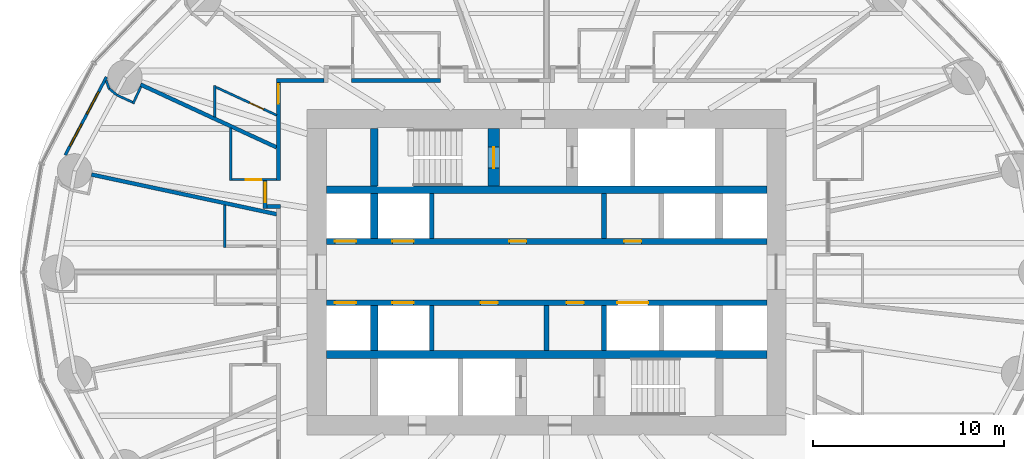
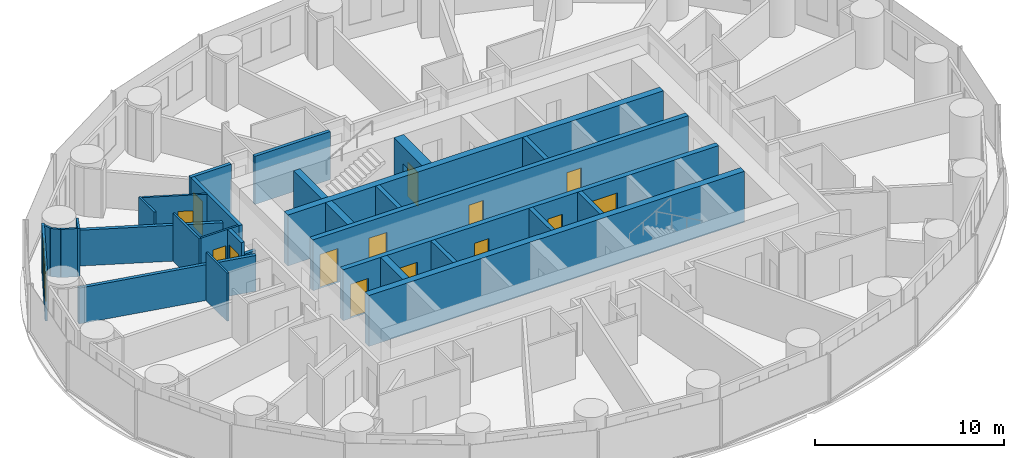
# One storey, part 8 of 14: 30 walls, 14 doors, 2 windows, 16 openings.
"""IFC4 building model written with IfcOpenShell, lengths in metres."""

from ifc_helpers import new_model, si_unit, direction, frame, frame_2d, origin, place, context, subcontext, project, spatial, rectangle, extrude, material, layer, layer_set, type_object, element, fill, save


model = new_model("IFC4")

# Units and contexts
model_context = context("Model", 3, precision=1e-05, world=origin(), true_north=direction((0.0, 1.0)))
body_context = subcontext(model_context, "Body", "Model", "MODEL_VIEW")
ifc_project = project(units=[si_unit("LENGTHUNIT", "METRE"), si_unit("AREAUNIT", "SQUARE_METRE"), si_unit("VOLUMEUNIT", "CUBIC_METRE"), si_unit("PLANEANGLEUNIT", "RADIAN"), si_unit("MASSUNIT", "GRAM", prefix="KILO")], contexts=[model_context])

# Site, building, storey
site_placement = place(None, origin())
site = spatial("IfcSite", under=ifc_project, at=site_placement, CompositionType="ELEMENT")
building_placement = place(site_placement, origin())
building = spatial("IfcBuilding", under=site, at=building_placement, Name="Hankou Lantern Tower", CompositionType="ELEMENT")
storey_placement = place(building_placement, frame((0.0, 0.0, 29.39990234375)))
storey = spatial("IfcBuildingStorey", under=building, at=storey_placement, Name="L05", CompositionType="ELEMENT", Elevation=29.39990234375)

# Walls
ifc_material_1 = material(Name="Concrete C60", Category="concrete")
ifc_layer_1 = layer(ifc_material_1, 0.39990234375)
ifc_layer_set_1 = layer_set([ifc_layer_1], Name="Concrete C60")
wall_type_1 = type_object("IfcWallType", Name="CW4 CORE CROSS WALL 400", PredefinedType="SHEAR", material=ifc_layer_set_1)
for number, where, z_axis, x_axis, name in (
    (1, (-11.5, 4.300048828125, 0.0), (0.0, 0.0, 1.0), (1.0, 0.0, 0.0), "Core band wall north L05"),
    (2, (-11.5, -4.300048828125, 0.0), (0.0, 0.0, 1.0), (1.0, 0.0, 0.0), "Core band wall south L05"),
):
    element("IfcWall", number, at=place(storey_placement, frame(where, z_axis=z_axis, x_axis=x_axis)), inside=storey, type_object=wall_type_1, Name=name, PredefinedType="SHEAR", context=body_context, shape_type="SweptSolid", body=[
        extrude(rectangle(XDim=23.0, YDim=0.39990234375, at=frame_2d((11.5, 0.0))), origin(), (0.0, 0.0, 1.0), 3.300048828125),
    ])
wall_1_placement = place(storey_placement, frame((-9.0, 4.5, 0.0), z_axis=(0.0, 0.0, 1.0), x_axis=(0.0, 1.0, 0.0)))
element("IfcWall", 3, at=wall_1_placement, inside=storey, type_object=wall_type_1, Name="Core strip wall L05", PredefinedType="SHEAR", context=body_context, shape_type="SweptSolid", body=[
    extrude(rectangle(XDim=3.0, YDim=0.39990234375, at=frame_2d((1.5, 0.0))), origin(), (0.0, 0.0, 1.0), 3.300048828125),
])
for number, where, z_axis, x_axis, name in (
    (4, (-9.0, 1.75, 0.0), (0.0, 0.0, 1.0), (0.0, 1.0, 0.0), "Core strip wall L05"),
    (5, (-9.0, -4.10009765625, 0.0), (0.0, 0.0, 1.0), (0.0, 1.0, 0.0), "Core strip wall L05"),
):
    element("IfcWall", number, at=place(storey_placement, frame(where, z_axis=z_axis, x_axis=x_axis)), inside=storey, type_object=wall_type_1, Name=name, PredefinedType="SHEAR", context=body_context, shape_type="SweptSolid", body=[
        extrude(rectangle(XDim=2.35009765625, YDim=0.39990234375, at=frame_2d((1.175048828125, 0.0))), origin(), (0.0, 0.0, 1.0), 3.300048828125),
    ])

# Wall, openings, doors
ifc_material_2 = material(Name="Concrete C60", Category="concrete")
ifc_layer_2 = layer(ifc_material_2, 0.300048828125)
ifc_layer_set_2 = layer_set([ifc_layer_2], Name="Concrete C60")
wall_type_2 = type_object("IfcWallType", Name="CW5 LIFT LOBBY WALL 300", PredefinedType="SHEAR", material=ifc_layer_set_2)
wall_2_placement = place(storey_placement, frame((-11.5, 1.60009765625, 0.0), z_axis=(0.0, 0.0, 1.0), x_axis=(1.0, 0.0, 0.0)))
wall_2 = element("IfcWall", 6, at=wall_2_placement, inside=storey, type_object=wall_type_2, Name="Lift lobby wall north L05", PredefinedType="SHEAR", context=body_context, shape_type="SweptSolid", body=[
    extrude(rectangle(XDim=23.0, YDim=0.300048828125, at=frame_2d((11.5, 0.0))), origin(), (0.0, 0.0, 1.0), 3.300048828125),
])
opening_1_placement = place(wall_2_placement, frame((0.449951171875, 0.0, 0.0)))
opening_1 = element("IfcOpeningElement", 7, at=opening_1_placement, cuts=wall_2, Name="Opening LD1", PredefinedType="OPENING", context=body_context, shape_type="SweptSolid", body=[
    extrude(rectangle(XDim=1.10009765625, YDim=2.199951171875, at=frame_2d((0.550048828125, 1.10009765625))), frame((0.0, 0.159912109375, 0.0), z_axis=(0.0, -1.0, 0.0), x_axis=(1.0, 0.0, 0.0)), (0.0, 0.0, 1.0), 0.320068359375),
])
opening_2_placement = place(wall_2_placement, frame((3.449951171875, 0.0, 0.0)))
opening_2 = element("IfcOpeningElement", 8, at=opening_2_placement, cuts=wall_2, Name="Opening LD1", PredefinedType="OPENING", context=body_context, shape_type="SweptSolid", body=[
    extrude(rectangle(XDim=1.10009765625, YDim=2.199951171875, at=frame_2d((0.550048828125, 1.10009765625))), frame((0.0, 0.159912109375, 0.0), z_axis=(0.0, -1.0, 0.0), x_axis=(1.0, 0.0, 0.0)), (0.0, 0.0, 1.0), 0.320068359375),
])
opening_3_placement = place(wall_2_placement, frame((9.550048828125, 0.0, 0.0)))
opening_3 = element("IfcOpeningElement", 9, at=opening_3_placement, cuts=wall_2, Name="Opening D30", PredefinedType="OPENING", context=body_context, shape_type="SweptSolid", body=[
    extrude(rectangle(XDim=0.89990234375, YDim=2.199951171875, at=frame_2d((0.449951171875, 1.10009765625))), frame((0.0, 0.159912109375, 0.0), z_axis=(0.0, -1.0, 0.0), x_axis=(1.0, 0.0, 0.0)), (0.0, 0.0, 1.0), 0.320068359375),
])
opening_4_placement = place(wall_2_placement, frame((15.550048828125, 0.0, 0.0)))
opening_4 = element("IfcOpeningElement", 10, at=opening_4_placement, cuts=wall_2, Name="Opening D30", PredefinedType="OPENING", context=body_context, shape_type="SweptSolid", body=[
    extrude(rectangle(XDim=0.89990234375, YDim=2.199951171875, at=frame_2d((0.449951171875, 1.10009765625))), frame((0.0, 0.159912109375, 0.0), z_axis=(0.0, -1.0, 0.0), x_axis=(1.0, 0.0, 0.0)), (0.0, 0.0, 1.0), 0.320068359375),
])
ifc_material_3 = material(Name="Steel door leaf", Category="steel")
door_type_1 = type_object("IfcDoorType", Name="D30 CORE ROOM DOOR 900X2200", OperationType="SINGLE_SWING_LEFT", PredefinedType="DOOR", material=ifc_material_3)
door_1_placement = place(opening_3_placement, origin())
door_1 = element("IfcDoor", 11, at=door_1_placement, inside=storey, type_object=door_type_1, Name="Cleaner's store door", OperationType="SINGLE_SWING_LEFT", OverallHeight=2.199951171875, OverallWidth=0.89990234375, PredefinedType="DOOR", context=body_context, shape_type="SweptSolid", body=[
    extrude(rectangle(XDim=0.89990234375, YDim=2.199951171875, at=frame_2d((0.449951171875, 1.10009765625))), frame((0.0, 0.02490234375, 0.0), z_axis=(0.0, -1.0, 0.0), x_axis=(1.0, 0.0, 0.0)), (0.0, 0.0, 1.0), 0.050048828125),
])
fill(opening_3, door_1)
door_2_placement = place(opening_4_placement, origin())
door_2 = element("IfcDoor", 12, at=door_2_placement, inside=storey, type_object=door_type_1, Name="Minibar store door", OperationType="SINGLE_SWING_RIGHT", OverallHeight=2.199951171875, OverallWidth=0.89990234375, PredefinedType="DOOR", context=body_context, shape_type="SweptSolid", body=[
    extrude(rectangle(XDim=0.89990234375, YDim=2.199951171875, at=frame_2d((0.449951171875, 1.10009765625))), frame((0.0, 0.02490234375, 0.0), z_axis=(0.0, -1.0, 0.0), x_axis=(1.0, 0.0, 0.0)), (0.0, 0.0, 1.0), 0.050048828125),
])
fill(opening_4, door_2)
ifc_material_4 = material(Name="Steel door leaf", Category="steel")
door_type_2 = type_object("IfcDoorType", Name="LD1 LIFT LANDING DOOR 1100X2200", OperationType="DOUBLE_DOOR_SLIDING", PredefinedType="DOOR", material=ifc_material_4)
door_3_placement = place(opening_1_placement, origin())
door_3 = element("IfcDoor", 13, at=door_3_placement, inside=storey, type_object=door_type_2, Name="Lift L1 landing door", OperationType="DOUBLE_DOOR_SLIDING", OverallHeight=2.199951171875, OverallWidth=1.10009765625, PredefinedType="DOOR", context=body_context, shape_type="SweptSolid", body=[
    extrude(rectangle(XDim=1.10009765625, YDim=2.199951171875, at=frame_2d((0.550048828125, 1.10009765625))), frame((0.0, 0.02490234375, 0.0), z_axis=(0.0, -1.0, 0.0), x_axis=(1.0, 0.0, 0.0)), (0.0, 0.0, 1.0), 0.050048828125),
])
fill(opening_1, door_3)
door_4_placement = place(opening_2_placement, origin())
door_4 = element("IfcDoor", 14, at=door_4_placement, inside=storey, type_object=door_type_2, Name="Lift L2 landing door", OperationType="DOUBLE_DOOR_SLIDING", OverallHeight=2.199951171875, OverallWidth=1.10009765625, PredefinedType="DOOR", context=body_context, shape_type="SweptSolid", body=[
    extrude(rectangle(XDim=1.10009765625, YDim=2.199951171875, at=frame_2d((0.550048828125, 1.10009765625))), frame((0.0, 0.02490234375, 0.0), z_axis=(0.0, -1.0, 0.0), x_axis=(1.0, 0.0, 0.0)), (0.0, 0.0, 1.0), 0.050048828125),
])
fill(opening_2, door_4)

wall_3_placement = place(storey_placement, frame((-11.5, -1.60009765625, 0.0), z_axis=(0.0, 0.0, 1.0), x_axis=(1.0, 0.0, 0.0)))
wall_3 = element("IfcWall", 15, at=wall_3_placement, inside=storey, type_object=wall_type_2, Name="Lift lobby wall south L05", PredefinedType="SHEAR", context=body_context, shape_type="SweptSolid", body=[
    extrude(rectangle(XDim=23.0, YDim=0.300048828125, at=frame_2d((11.5, 0.0))), origin(), (0.0, 0.0, 1.0), 3.300048828125),
])
opening_5_placement = place(wall_3_placement, frame((0.449951171875, 0.0, 0.0)))
opening_5 = element("IfcOpeningElement", 16, at=opening_5_placement, cuts=wall_3, Name="Opening LD1", PredefinedType="OPENING", context=body_context, shape_type="SweptSolid", body=[
    extrude(rectangle(XDim=1.10009765625, YDim=2.199951171875, at=frame_2d((0.550048828125, 1.10009765625))), frame((0.0, 0.159912109375, 0.0), z_axis=(0.0, -1.0, 0.0), x_axis=(1.0, 0.0, 0.0)), (0.0, 0.0, 1.0), 0.320068359375),
])
opening_6_placement = place(wall_3_placement, frame((3.449951171875, 0.0, 0.0)))
opening_6 = element("IfcOpeningElement", 17, at=opening_6_placement, cuts=wall_3, Name="Opening LD1", PredefinedType="OPENING", context=body_context, shape_type="SweptSolid", body=[
    extrude(rectangle(XDim=1.10009765625, YDim=2.199951171875, at=frame_2d((0.550048828125, 1.10009765625))), frame((0.0, 0.159912109375, 0.0), z_axis=(0.0, -1.0, 0.0), x_axis=(1.0, 0.0, 0.0)), (0.0, 0.0, 1.0), 0.320068359375),
])
opening_7_placement = place(wall_3_placement, frame((15.199951171875, 0.0, 0.0)))
opening_7 = element("IfcOpeningElement", 18, at=opening_7_placement, cuts=wall_3, Name="Opening LD4", PredefinedType="OPENING", context=body_context, shape_type="SweptSolid", body=[
    extrude(rectangle(XDim=1.60009765625, YDim=2.39990234375, at=frame_2d((0.800048828125, 1.199951171875))), frame((0.0, 0.159912109375, 0.0), z_axis=(0.0, -1.0, 0.0), x_axis=(1.0, 0.0, 0.0)), (0.0, 0.0, 1.0), 0.320068359375),
])
opening_8_placement = place(wall_3_placement, frame((8.050048828125, 0.0, 0.0)))
opening_8 = element("IfcOpeningElement", 19, at=opening_8_placement, cuts=wall_3, Name="Opening D30", PredefinedType="OPENING", context=body_context, shape_type="SweptSolid", body=[
    extrude(rectangle(XDim=0.89990234375, YDim=2.199951171875, at=frame_2d((0.449951171875, 1.10009765625))), frame((0.0, 0.159912109375, 0.0), z_axis=(0.0, -1.0, 0.0), x_axis=(1.0, 0.0, 0.0)), (0.0, 0.0, 1.0), 0.320068359375),
])
opening_9_placement = place(wall_3_placement, frame((12.550048828125, 0.0, 0.0)))
opening_9 = element("IfcOpeningElement", 20, at=opening_9_placement, cuts=wall_3, Name="Opening D30", PredefinedType="OPENING", context=body_context, shape_type="SweptSolid", body=[
    extrude(rectangle(XDim=0.89990234375, YDim=2.199951171875, at=frame_2d((0.449951171875, 1.10009765625))), frame((0.0, 0.159912109375, 0.0), z_axis=(0.0, -1.0, 0.0), x_axis=(1.0, 0.0, 0.0)), (0.0, 0.0, 1.0), 0.320068359375),
])
door_5_placement = place(opening_8_placement, origin())
door_5 = element("IfcDoor", 21, at=door_5_placement, inside=storey, type_object=door_type_1, Name="Guest pantry and ice room door", OperationType="SINGLE_SWING_LEFT", OverallHeight=2.199951171875, OverallWidth=0.89990234375, PredefinedType="DOOR", context=body_context, shape_type="SweptSolid", body=[
    extrude(rectangle(XDim=0.89990234375, YDim=2.199951171875, at=frame_2d((0.449951171875, 1.10009765625))), frame((0.0, 0.02490234375, 0.0), z_axis=(0.0, -1.0, 0.0), x_axis=(1.0, 0.0, 0.0)), (0.0, 0.0, 1.0), 0.050048828125),
])
fill(opening_8, door_5)
door_6_placement = place(opening_9_placement, origin())
door_6 = element("IfcDoor", 22, at=door_6_placement, inside=storey, type_object=door_type_1, Name="Housekeeping and linen store door", OperationType="SINGLE_SWING_RIGHT", OverallHeight=2.199951171875, OverallWidth=0.89990234375, PredefinedType="DOOR", context=body_context, shape_type="SweptSolid", body=[
    extrude(rectangle(XDim=0.89990234375, YDim=2.199951171875, at=frame_2d((0.449951171875, 1.10009765625))), frame((0.0, 0.02490234375, 0.0), z_axis=(0.0, -1.0, 0.0), x_axis=(1.0, 0.0, 0.0)), (0.0, 0.0, 1.0), 0.050048828125),
])
fill(opening_9, door_6)
door_7_placement = place(opening_5_placement, origin())
door_7 = element("IfcDoor", 23, at=door_7_placement, inside=storey, type_object=door_type_2, Name="Lift L3 landing door", OperationType="DOUBLE_DOOR_SLIDING", OverallHeight=2.199951171875, OverallWidth=1.10009765625, PredefinedType="DOOR", context=body_context, shape_type="SweptSolid", body=[
    extrude(rectangle(XDim=1.10009765625, YDim=2.199951171875, at=frame_2d((0.550048828125, 1.10009765625))), frame((0.0, 0.02490234375, 0.0), z_axis=(0.0, -1.0, 0.0), x_axis=(1.0, 0.0, 0.0)), (0.0, 0.0, 1.0), 0.050048828125),
])
fill(opening_5, door_7)
door_8_placement = place(opening_6_placement, origin())
door_8 = element("IfcDoor", 24, at=door_8_placement, inside=storey, type_object=door_type_2, Name="Lift L4 landing door", OperationType="DOUBLE_DOOR_SLIDING", OverallHeight=2.199951171875, OverallWidth=1.10009765625, PredefinedType="DOOR", context=body_context, shape_type="SweptSolid", body=[
    extrude(rectangle(XDim=1.10009765625, YDim=2.199951171875, at=frame_2d((0.550048828125, 1.10009765625))), frame((0.0, 0.02490234375, 0.0), z_axis=(0.0, -1.0, 0.0), x_axis=(1.0, 0.0, 0.0)), (0.0, 0.0, 1.0), 0.050048828125),
])
fill(opening_6, door_8)
ifc_material_5 = material(Name="Steel door leaf", Category="steel")
door_type_3 = type_object("IfcDoorType", Name="LD4 SERVICE LIFT LANDING DOOR 1600X2400", OperationType="DOUBLE_DOOR_SLIDING", PredefinedType="DOOR", material=ifc_material_5)
door_9_placement = place(opening_7_placement, origin())
door_9 = element("IfcDoor", 25, at=door_9_placement, inside=storey, type_object=door_type_3, Name="Lift SV1 landing door", OperationType="DOUBLE_DOOR_SLIDING", OverallHeight=2.39990234375, OverallWidth=1.60009765625, PredefinedType="DOOR", context=body_context, shape_type="SweptSolid", body=[
    extrude(rectangle(XDim=1.60009765625, YDim=2.39990234375, at=frame_2d((0.800048828125, 1.199951171875))), frame((0.0, 0.02490234375, 0.0), z_axis=(0.0, -1.0, 0.0), x_axis=(1.0, 0.0, 0.0)), (0.0, 0.0, 1.0), 0.050048828125),
])
fill(opening_7, door_9)

# Wall, opening, door
ifc_material_6 = material(Name="Concrete C60", Category="concrete")
ifc_layer_3 = layer(ifc_material_6, 0.60009765625)
ifc_layer_set_3 = layer_set([ifc_layer_3], Name="Concrete C60")
wall_type_3 = type_object("IfcWallType", Name="CW6 STAIR AND SHAFT WALL 600", PredefinedType="SHEAR", material=ifc_layer_set_3)
wall_4_placement = place(storey_placement, frame((-2.75, 4.5, 0.0), z_axis=(0.0, 0.0, 1.0), x_axis=(0.0, 1.0, 0.0)))
wall_4 = element("IfcWall", 26, at=wall_4_placement, inside=storey, type_object=wall_type_3, Name="Stair wall L05", PredefinedType="SHEAR", context=body_context, shape_type="SweptSolid", body=[
    extrude(rectangle(XDim=3.0, YDim=0.60009765625, at=frame_2d((1.5, 0.0))), origin(), (0.0, 0.0, 1.0), 3.300048828125),
])
opening_10_placement = place(wall_4_placement, frame((0.925048828125, 0.0, 0.0)))
opening_10 = element("IfcOpeningElement", 27, at=opening_10_placement, cuts=wall_4, Name="Opening D4", PredefinedType="OPENING", context=body_context, shape_type="SweptSolid", body=[
    extrude(rectangle(XDim=1.10009765625, YDim=2.199951171875, at=frame_2d((0.550048828125, 1.10009765625))), frame((0.0, 0.31005859375, 0.0), z_axis=(0.0, -1.0, 0.0), x_axis=(1.0, 0.0, 0.0)), (0.0, 0.0, 1.0), 0.6201171875),
])
ifc_material_7 = material(Name="Steel door leaf", Category="steel")
door_type_4 = type_object("IfcDoorType", Name="D4 STAIR DOOR 1100X2200", OperationType="SINGLE_SWING_LEFT", PredefinedType="DOOR", material=ifc_material_7)
door_10_placement = place(opening_10_placement, origin())
door_10 = element("IfcDoor", 28, at=door_10_placement, inside=storey, type_object=door_type_4, Name="Stair A door", OperationType="SINGLE_SWING_LEFT", OverallHeight=2.199951171875, OverallWidth=1.10009765625, PredefinedType="DOOR", context=body_context, shape_type="SweptSolid", body=[
    extrude(rectangle(XDim=1.10009765625, YDim=2.199951171875, at=frame_2d((0.550048828125, 1.10009765625))), frame((0.0, 0.02490234375, 0.0), z_axis=(0.0, -1.0, 0.0), x_axis=(1.0, 0.0, 0.0)), (0.0, 0.0, 1.0), 0.050048828125),
])
fill(opening_10, door_10)

# Wall, openings, windows
ifc_material_8 = material(Name="Aluminium spandrel panel on steel studs", Category="steel")
ifc_layer_4 = layer(ifc_material_8, 0.14990234375)
ifc_layer_set_4 = layer_set([ifc_layer_4], Name="Aluminium spandrel panel on steel studs")
wall_type_4 = type_object("IfcWallType", Name="EW1 INNER SKIN WALL 150", PredefinedType="ELEMENTEDWALL", material=ifc_layer_set_4)
wall_5_placement = place(storey_placement, frame((-22.986083984375, 10.185302734375, 0.0), z_axis=(0.0, 0.0, 1.0), x_axis=(-0.467303182954, -0.884097129959, 0.0)))
wall_5 = element("IfcWall", 29, at=wall_5_placement, inside=storey, type_object=wall_type_4, Name="Inner skin R11-R12 L05", PredefinedType="ELEMENTEDWALL", context=body_context, shape_type="SweptSolid", body=[
    extrude(rectangle(XDim=4.6064453125, YDim=0.14990234375, at=frame_2d((2.30322265625, 0.0))), origin(), (0.0, 0.0, 1.0), 3.1201171875),
])
opening_11_placement = place(wall_5_placement, frame((0.874755859375, 0.0, 0.89990234375)))
opening_11 = element("IfcOpeningElement", 30, at=opening_11_placement, cuts=wall_5, Name="Opening W9", PredefinedType="OPENING", context=body_context, shape_type="SweptSolid", body=[
    extrude(rectangle(XDim=1.300048828125, YDim=1.89990234375, at=frame_2d((0.64990234375, 0.949951171875))), frame((0.0, 0.0849609375, 0.0), z_axis=(0.0, -1.0, 0.0), x_axis=(1.0, 0.0, 0.0)), (0.0, 0.0, 1.0), 0.169921875),
])
opening_12_placement = place(wall_5_placement, frame((2.77490234375, 0.0, 0.89990234375)))
opening_12 = element("IfcOpeningElement", 31, at=opening_12_placement, cuts=wall_5, Name="Opening W9", PredefinedType="OPENING", context=body_context, shape_type="SweptSolid", body=[
    extrude(rectangle(XDim=1.300048828125, YDim=1.89990234375, at=frame_2d((0.64990234375, 0.949951171875))), frame((0.0, 0.0849609375, 0.0), z_axis=(0.0, -1.0, 0.0), x_axis=(1.0, 0.0, 0.0)), (0.0, 0.0, 1.0), 0.169921875),
])
ifc_material_9 = material(Name="Aluminium framed double glazed window", Category="aluminium")
window_type = type_object("IfcWindowType", Name="W9 GUEST ROOM WINDOW 1300X1900", PartitioningType="DOUBLE_PANEL_VERTICAL", PredefinedType="WINDOW", material=ifc_material_9)
window_1_placement = place(opening_11_placement, origin())
window_1 = element("IfcWindow", 32, at=window_1_placement, inside=storey, type_object=window_type, Name="Window R11.1 L05", OverallHeight=1.89990234375, OverallWidth=1.300048828125, PartitioningType="SINGLE_PANEL", PredefinedType="WINDOW", context=body_context, shape_type="SweptSolid", body=[
    extrude(rectangle(XDim=1.300048828125, YDim=1.89990234375, at=frame_2d((0.64990234375, 0.949951171875))), frame((0.0, 0.030029296875, 0.0), z_axis=(0.0, -1.0, 0.0), x_axis=(1.0, 0.0, 0.0)), (0.0, 0.0, 1.0), 0.06005859375),
])
fill(opening_11, window_1)
window_2_placement = place(opening_12_placement, origin())
window_2 = element("IfcWindow", 33, at=window_2_placement, inside=storey, type_object=window_type, Name="Window R11.2 L05", OverallHeight=1.89990234375, OverallWidth=1.300048828125, PartitioningType="SINGLE_PANEL", PredefinedType="WINDOW", context=body_context, shape_type="SweptSolid", body=[
    extrude(rectangle(XDim=1.300048828125, YDim=1.89990234375, at=frame_2d((0.64990234375, 0.949951171875))), frame((0.0, 0.030029296875, 0.0), z_axis=(0.0, -1.0, 0.0), x_axis=(1.0, 0.0, 0.0)), (0.0, 0.0, 1.0), 0.06005859375),
])
fill(opening_12, window_2)

# Walls
ifc_material_10 = material(Name="Masonry lightweight concrete block", Category="masonry")
ifc_layer_5 = layer(ifc_material_10, 0.199951171875)
ifc_layer_set_5 = layer_set([ifc_layer_5], Name="Masonry lightweight concrete block")
wall_type_5 = type_object("IfcWallType", Name="IW1 GUEST ROOM PARTY WALL 200", PredefinedType="PARTITIONING", material=ifc_layer_set_5)
wall_6_placement = place(storey_placement, frame((-14.10009765625, 6.512451171875, 0.0), z_axis=(0.0, 0.0, 1.0), x_axis=(-0.907842433118, 0.41931147925, 0.0)))
element("IfcWall", 34, at=wall_6_placement, inside=storey, type_object=wall_type_5, Name="Party wall R11", PredefinedType="PARTITIONING", context=body_context, shape_type="SweptSolid", body=[
    extrude(rectangle(XDim=7.822998046875, YDim=0.199951171875, at=frame_2d((3.91162109375, 0.0))), origin(), (0.0, 0.0, 1.0), 2.320068359375),
])
wall_7_placement = place(storey_placement, frame((-14.10009765625, 3.0224609375, 0.0), z_axis=(0.0, 0.0, 1.0), x_axis=(-0.977786510688, 0.209603290805, 0.0)))
element("IfcWall", 35, at=wall_7_placement, inside=storey, type_object=wall_type_5, Name="Party wall R12", PredefinedType="PARTITIONING", context=body_context, shape_type="SweptSolid", body=[
    extrude(rectangle(XDim=9.88671875, YDim=0.199951171875, at=frame_2d((4.943359375, 0.0))), origin(), (0.0, 0.0, 1.0), 2.320068359375),
])

# Wall, opening, door
ifc_material_11 = material(Name="Masonry lightweight concrete block", Category="masonry")
ifc_layer_6 = layer(ifc_material_11, 0.199951171875)
ifc_layer_set_6 = layer_set([ifc_layer_6], Name="Masonry lightweight concrete block")
wall_type_6 = type_object("IfcWallType", Name="IW2 CORRIDOR WALL 200", PredefinedType="PARTITIONING", material=ifc_layer_set_6)
wall_8_placement = place(storey_placement, frame((-14.699951171875, 4.7724609375, 0.0), z_axis=(0.0, 0.0, 1.0), x_axis=(0.0, -1.0, 0.0)))
wall_8 = element("IfcWall", 36, at=wall_8_placement, inside=storey, type_object=wall_type_6, Name="Corridor recess wall 0513 back", PredefinedType="PARTITIONING", context=body_context, shape_type="SweptSolid", body=[
    extrude(rectangle(XDim=1.43994140625, YDim=0.199951171875, at=frame_2d((0.719970703125, 0.0))), origin(), (0.0, 0.0, 1.0), 3.1201171875),
])
opening_13_placement = place(wall_8_placement, frame((0.1201171875, 0.0, 0.0)))
opening_13 = element("IfcOpeningElement", 37, at=opening_13_placement, cuts=wall_8, Name="Opening D1", PredefinedType="OPENING", context=body_context, shape_type="SweptSolid", body=[
    extrude(rectangle(XDim=1.0, YDim=2.199951171875, at=frame_2d((0.5, 1.10009765625))), frame((0.0, 0.10986328125, 0.0), z_axis=(0.0, -1.0, 0.0), x_axis=(1.0, 0.0, 0.0)), (0.0, 0.0, 1.0), 0.219970703125),
])
ifc_material_12 = material(Name="Steel door leaf", Category="steel")
door_type_5 = type_object("IfcDoorType", Name="D1 GUEST ROOM DOOR 1000X2200", OperationType="SINGLE_SWING_LEFT", PredefinedType="DOOR", material=ifc_material_12)
door_11_placement = place(opening_13_placement, origin())
door_11 = element("IfcDoor", 38, at=door_11_placement, inside=storey, type_object=door_type_5, Name="Guest room door 0513", OperationType="SINGLE_SWING_LEFT", OverallHeight=2.199951171875, OverallWidth=1.0, PredefinedType="DOOR", context=body_context, shape_type="SweptSolid", body=[
    extrude(rectangle(XDim=1.0, YDim=2.199951171875, at=frame_2d((0.5, 1.10009765625))), frame((0.0, 0.02490234375, 0.0), z_axis=(0.0, -1.0, 0.0), x_axis=(1.0, 0.0, 0.0)), (0.0, 0.0, 1.0), 0.050048828125),
])
fill(opening_13, door_11)

# Walls
wall_9_placement = place(storey_placement, frame((-13.89990234375, 3.4326171875, 0.0), z_axis=(0.0, 0.0, 1.0), x_axis=(-1.0, 0.0, 0.0)))
element("IfcWall", 39, at=wall_9_placement, inside=storey, type_object=wall_type_6, Name="Corridor recess wall 0513 side", PredefinedType="PARTITIONING", context=body_context, shape_type="SweptSolid", body=[
    extrude(rectangle(XDim=0.7001953125, YDim=0.199951171875, at=frame_2d((0.35009765625, 0.0))), origin(), (0.0, 0.0, 1.0), 2.320068359375),
])
wall_10_placement = place(storey_placement, frame((-14.10009765625, 10.0, 0.0), z_axis=(0.0, 0.0, 1.0), x_axis=(1.0, 0.0, 0.0)))
element("IfcWall", 40, at=wall_10_placement, inside=storey, type_object=wall_type_6, Name="Corridor wall north", PredefinedType="PARTITIONING", context=body_context, shape_type="SweptSolid", body=[
    extrude(rectangle(XDim=2.48095703125, YDim=0.199951171875, at=frame_2d((1.240478515625, 0.0))), origin(), (0.0, 0.0, 1.0), 3.1201171875),
])
wall_11_placement = place(storey_placement, frame((-10.178955078125, 10.0, 0.0), z_axis=(0.0, 0.0, 1.0), x_axis=(1.0, 0.0, 0.0)))
element("IfcWall", 41, at=wall_11_placement, inside=storey, type_object=wall_type_6, Name="Corridor wall north", PredefinedType="PARTITIONING", context=body_context, shape_type="SweptSolid", body=[
    extrude(rectangle(XDim=4.6298828125, YDim=0.199951171875, at=frame_2d((2.31494140625, 0.0))), origin(), (0.0, 0.0, 1.0), 3.1201171875),
])

# Wall, opening, door
wall_12_placement = place(storey_placement, frame((-14.0, 9.89990234375, 0.0), z_axis=(0.0, 0.0, 1.0), x_axis=(0.0, -1.0, 0.0)))
wall_12 = element("IfcWall", 42, at=wall_12_placement, inside=storey, type_object=wall_type_6, Name="Corridor wall west", PredefinedType="PARTITIONING", context=body_context, shape_type="SweptSolid", body=[
    extrude(rectangle(XDim=5.12744140625, YDim=0.199951171875, at=frame_2d((2.563720703125, 0.0))), origin(), (0.0, 0.0, 1.0), 3.1201171875),
])
opening_14_placement = place(wall_12_placement, frame((0.1025390625, 0.0, 0.0)))
opening_14 = element("IfcOpeningElement", 43, at=opening_14_placement, cuts=wall_12, Name="Opening D1", PredefinedType="OPENING", context=body_context, shape_type="SweptSolid", body=[
    extrude(rectangle(XDim=1.0, YDim=2.199951171875, at=frame_2d((0.5, 1.10009765625))), frame((0.0, 0.10986328125, 0.0), z_axis=(0.0, -1.0, 0.0), x_axis=(1.0, 0.0, 0.0)), (0.0, 0.0, 1.0), 0.219970703125),
])
door_12_placement = place(opening_14_placement, origin())
door_12 = element("IfcDoor", 44, at=door_12_placement, inside=storey, type_object=door_type_5, Name="Guest room door 0512", OperationType="SINGLE_SWING_LEFT", OverallHeight=2.199951171875, OverallWidth=1.0, PredefinedType="DOOR", context=body_context, shape_type="SweptSolid", body=[
    extrude(rectangle(XDim=1.0, YDim=2.199951171875, at=frame_2d((0.5, 1.10009765625))), frame((0.0, 0.02490234375, 0.0), z_axis=(0.0, -1.0, 0.0), x_axis=(1.0, 0.0, 0.0)), (0.0, 0.0, 1.0), 0.050048828125),
])
fill(opening_14, door_12)

# Wall
ifc_material_13 = material(Name="Masonry lightweight concrete block", Category="masonry")
ifc_layer_7 = layer(ifc_material_13, 0.1201171875)
ifc_layer_set_7 = layer_set([ifc_layer_7], Name="Masonry lightweight concrete block")
wall_type_7 = type_object("IfcWallType", Name="IW3 BATHROOM WALL 120", PredefinedType="PARTITIONING", material=ifc_layer_set_7)
wall_13_placement = place(storey_placement, frame((-17.32275390625, 8.10107421875, 0.0), z_axis=(0.0, 0.0, 1.0), x_axis=(0.0, 1.0, 0.0)))
element("IfcWall", 45, at=wall_13_placement, inside=storey, type_object=wall_type_7, Name="Box wall 0512 1", PredefinedType="PARTITIONING", context=body_context, shape_type="SweptSolid", body=[
    extrude(rectangle(XDim=1.639892578125, YDim=0.1201171875, at=frame_2d((0.81982421875, 0.0))), origin(), (0.0, 0.0, 1.0), 3.1201171875),
])

# Wall, opening, door
wall_14_placement = place(storey_placement, frame((-14.10009765625, 8.192626953125, 0.0), z_axis=(0.0, 0.0, 1.0), x_axis=(-0.907836493557, 0.419324338628, 0.0)))
wall_14 = element("IfcWall", 46, at=wall_14_placement, inside=storey, type_object=wall_type_7, Name="Box wall 0512 1", PredefinedType="PARTITIONING", context=body_context, shape_type="SweptSolid", body=[
    extrude(rectangle(XDim=3.48974609375, YDim=0.1201171875, at=frame_2d((1.744873046875, 0.0))), origin(), (0.0, 0.0, 1.0), 3.1201171875),
])
opening_15_placement = place(wall_14_placement, frame((0.75, 0.0, 0.0)))
opening_15 = element("IfcOpeningElement", 47, at=opening_15_placement, cuts=wall_14, Name="Opening D3", PredefinedType="OPENING", context=body_context, shape_type="SweptSolid", body=[
    extrude(rectangle(XDim=0.800048828125, YDim=2.10009765625, at=frame_2d((0.39990234375, 1.050048828125))), frame((0.0, 0.070068359375, 0.0), z_axis=(0.0, -1.0, 0.0), x_axis=(1.0, 0.0, 0.0)), (0.0, 0.0, 1.0), 0.14013671875),
])
ifc_material_14 = material(Name="Timber door leaf", Category="wood")
door_type_6 = type_object("IfcDoorType", Name="D3 BATHROOM DOOR 800X2100", OperationType="SINGLE_SWING_LEFT", PredefinedType="DOOR", material=ifc_material_14)
door_13_placement = place(opening_15_placement, origin())
door_13 = element("IfcDoor", 48, at=door_13_placement, inside=storey, type_object=door_type_6, Name="En-suite bathroom 0512 door", OperationType="SINGLE_SWING_LEFT", OverallHeight=2.10009765625, OverallWidth=0.800048828125, PredefinedType="DOOR", context=body_context, shape_type="SweptSolid", body=[
    extrude(rectangle(XDim=0.800048828125, YDim=2.10009765625, at=frame_2d((0.39990234375, 1.050048828125))), frame((0.0, 0.02490234375, 0.0), z_axis=(0.0, -1.0, 0.0), x_axis=(1.0, 0.0, 0.0)), (0.0, 0.0, 1.0), 0.050048828125),
])
fill(opening_15, door_13)

# Wall
wall_15_placement = place(storey_placement, frame((-16.5, 7.52099609375, 0.0), z_axis=(0.0, 0.0, 1.0), x_axis=(0.0, -1.0, 0.0)))
element("IfcWall", 49, at=wall_15_placement, inside=storey, type_object=wall_type_7, Name="Box wall 0513 1", PredefinedType="PARTITIONING", context=body_context, shape_type="SweptSolid", body=[
    extrude(rectangle(XDim=2.74853515625, YDim=0.1201171875, at=frame_2d((1.374267578125, 0.0))), origin(), (0.0, 0.0, 1.0), 3.1201171875),
])

# Wall, opening, door
wall_16_placement = place(storey_placement, frame((-14.10009765625, 4.83251953125, 0.0), z_axis=(0.0, 0.0, 1.0), x_axis=(-1.0, 0.0, 0.0)))
wall_16 = element("IfcWall", 50, at=wall_16_placement, inside=storey, type_object=wall_type_7, Name="Box wall 0513 1", PredefinedType="PARTITIONING", context=body_context, shape_type="SweptSolid", body=[
    extrude(rectangle(XDim=2.33984375, YDim=0.1201171875, at=frame_2d((1.169921875, 0.0))), origin(), (0.0, 0.0, 1.0), 3.1201171875),
])
opening_16_placement = place(wall_16_placement, frame((0.800048828125, 0.0, 0.0)))
opening_16 = element("IfcOpeningElement", 51, at=opening_16_placement, cuts=wall_16, Name="Opening D3", PredefinedType="OPENING", context=body_context, shape_type="SweptSolid", body=[
    extrude(rectangle(XDim=0.800048828125, YDim=2.10009765625, at=frame_2d((0.39990234375, 1.050048828125))), frame((0.0, 0.070068359375, 0.0), z_axis=(0.0, -1.0, 0.0), x_axis=(1.0, 0.0, 0.0)), (0.0, 0.0, 1.0), 0.14013671875),
])
door_14_placement = place(opening_16_placement, origin())
door_14 = element("IfcDoor", 52, at=door_14_placement, inside=storey, type_object=door_type_6, Name="En-suite bathroom 0513 door", OperationType="SINGLE_SWING_LEFT", OverallHeight=2.10009765625, OverallWidth=0.800048828125, PredefinedType="DOOR", context=body_context, shape_type="SweptSolid", body=[
    extrude(rectangle(XDim=0.800048828125, YDim=2.10009765625, at=frame_2d((0.39990234375, 1.050048828125))), frame((0.0, 0.02490234375, 0.0), z_axis=(0.0, -1.0, 0.0), x_axis=(1.0, 0.0, 0.0)), (0.0, 0.0, 1.0), 0.050048828125),
])
fill(opening_16, door_14)

# Walls
wall_17_placement = place(storey_placement, frame((-16.800048828125, 3.501220703125, 0.0), z_axis=(0.0, 0.0, 1.0), x_axis=(0.0, -1.0, 0.0)))
element("IfcWall", 53, at=wall_17_placement, inside=storey, type_object=wall_type_7, Name="Box wall 0514 1", PredefinedType="PARTITIONING", context=body_context, shape_type="SweptSolid", body=[
    extrude(rectangle(XDim=2.21875, YDim=0.1201171875, at=frame_2d((1.109375, 0.0))), origin(), (0.0, 0.0, 1.0), 3.1201171875),
])
ifc_material_15 = material(Name="Masonry lightweight concrete block", Category="masonry")
ifc_layer_8 = layer(ifc_material_15, 0.1201171875)
ifc_layer_set_8 = layer_set([ifc_layer_8], Name="Masonry lightweight concrete block")
wall_type_8 = type_object("IfcWallType", Name="IW4 PARTITION 120", PredefinedType="PARTITIONING", material=ifc_layer_set_8)
wall_18_placement = place(storey_placement, frame((-21.189453125, 9.6767578125, 0.0), z_axis=(0.0, 0.0, 1.0), x_axis=(-0.419344098106, -0.907827366509, 0.0)))
element("IfcWall", 54, at=wall_18_placement, inside=storey, type_object=wall_type_8, Name="Column casing R11 return", PredefinedType="PARTITIONING", context=body_context, shape_type="SweptSolid", body=[
    extrude(rectangle(XDim=0.974609375, YDim=0.1201171875, at=frame_2d((0.4873046875, 0.0))), origin(), (0.0, 0.0, 1.0), 3.1201171875),
])
wall_19_placement = place(storey_placement, frame((-21.62744140625, 8.871826171875, 0.0), z_axis=(0.0, 0.0, 1.0), x_axis=(-0.907935564339, 0.419109783957, 0.0)))
element("IfcWall", 55, at=wall_19_placement, inside=storey, type_object=wall_type_8, Name="Column casing R11", PredefinedType="PARTITIONING", context=body_context, shape_type="SweptSolid", body=[
    extrude(rectangle(XDim=0.89990234375, YDim=0.1201171875, at=frame_2d((0.449951171875, 0.0))), origin(), (0.0, 0.0, 1.0), 3.1201171875),
])
wall_20_placement = place(storey_placement, frame((-22.444580078125, 9.2490234375, 0.0), z_axis=(0.0, 0.0, 1.0), x_axis=(-0.768335565584, 0.640047231584, 0.0)))
element("IfcWall", 56, at=wall_20_placement, inside=storey, type_object=wall_type_8, Name="Column casing R11", PredefinedType="PARTITIONING", context=body_context, shape_type="SweptSolid", body=[
    extrude(rectangle(XDim=0.525146484375, YDim=0.1201171875, at=frame_2d((0.2626953125, 0.0))), origin(), (0.0, 0.0, 1.0), 3.1201171875),
])
wall_21_placement = place(storey_placement, frame((-22.84814453125, 9.585205078125, 0.0), z_axis=(0.0, 0.0, 1.0), x_axis=(-0.345267312673, 0.938504386138, 0.0)))
element("IfcWall", 57, at=wall_21_placement, inside=storey, type_object=wall_type_8, Name="Column casing R11", PredefinedType="PARTITIONING", context=body_context, shape_type="SweptSolid", body=[
    extrude(rectangle(XDim=0.439208984375, YDim=0.1201171875, at=frame_2d((0.2197265625, 0.0))), origin(), (0.0, 0.0, 1.0), 3.1201171875),
])
ifc_material_16 = material(Name="Masonry autoclaved aerated concrete block", Category="masonry")
ifc_layer_9 = layer(ifc_material_16, 0.25)
ifc_layer_set_9 = layer_set([ifc_layer_9], Name="Masonry autoclaved aerated concrete block")
wall_type_9 = type_object("IfcWallType", Name="SW1 SHAFT BLOCK WALL 250", PredefinedType="PARTITIONING", material=ifc_layer_set_9)
for number, where, z_axis, x_axis, name in (
    (58, (-6.0, 1.75, 0.0), (0.0, 0.0, 1.0), (0.0, 1.0, 0.0), "Lift shaft wall L05"),
    (59, (3.0, 1.75, 0.0), (0.0, 0.0, 1.0), (0.0, 1.0, 0.0), "Lift shaft wall L05"),
    (60, (-6.0, -4.10009765625, 0.0), (0.0, 0.0, 1.0), (0.0, 1.0, 0.0), "Lift shaft wall L05"),
    (61, (0.0, -4.10009765625, 0.0), (0.0, 0.0, 1.0), (0.0, 1.0, 0.0), "Lift shaft wall L05"),
    (62, (3.0, -4.10009765625, 0.0), (0.0, 0.0, 1.0), (0.0, 1.0, 0.0), "Lift shaft wall L05"),
):
    element("IfcWall", number, at=place(storey_placement, frame(where, z_axis=z_axis, x_axis=x_axis)), inside=storey, type_object=wall_type_9, Name=name, PredefinedType="PARTITIONING", context=body_context, shape_type="SweptSolid", body=[
        extrude(rectangle(XDim=2.35009765625, YDim=0.25, at=frame_2d((1.175048828125, 0.0))), origin(), (0.0, 0.0, 1.0), 3.300048828125),
    ])

save(model, "model.ifc")
